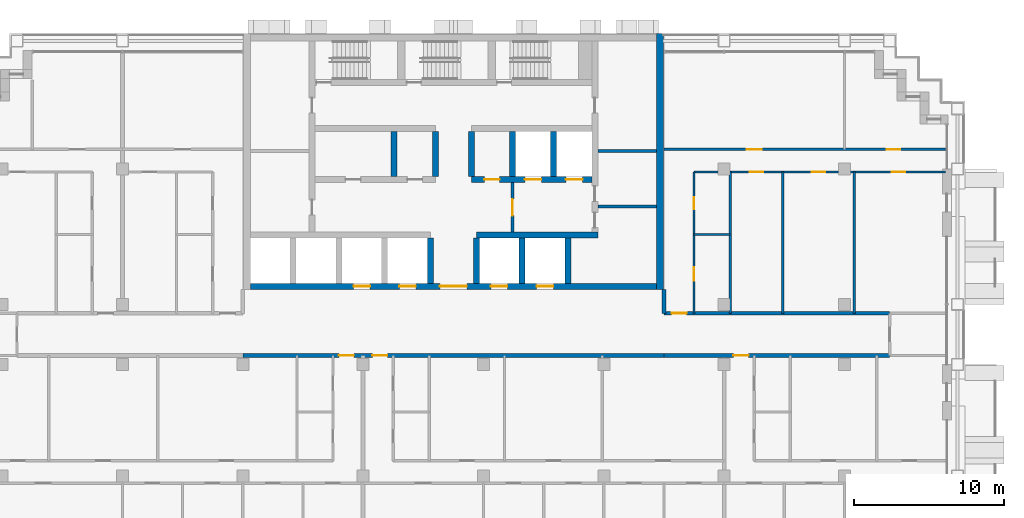
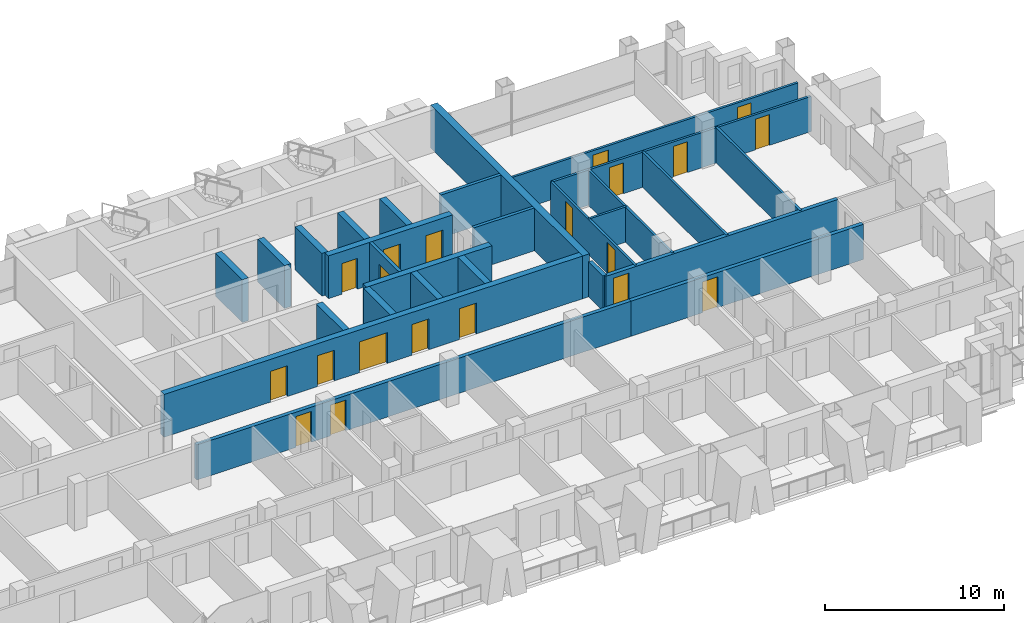
# One storey, part 10 of 16: 27 walls, 20 doors, 20 openings.
"""IFC4 building model written with IfcOpenShell, lengths in metres."""

from ifc_helpers import new_model, si_unit, direction, frame, frame_2d, origin, place, context, subcontext, project, spatial, rectangle, extrude, material, layer, layer_set, type_object, element, fill, save


model = new_model("IFC4")

# Units and contexts
model_context = context("Model", 3, precision=1e-05, world=origin(), true_north=direction((0.0, 1.0)))
body_context = subcontext(model_context, "Body", "Model", "MODEL_VIEW")
ifc_project = project(units=[si_unit("LENGTHUNIT", "METRE"), si_unit("AREAUNIT", "SQUARE_METRE"), si_unit("VOLUMEUNIT", "CUBIC_METRE"), si_unit("PLANEANGLEUNIT", "RADIAN"), si_unit("MASSUNIT", "GRAM", prefix="KILO")], contexts=[model_context])

# Site, building, storey
site_placement = place(None, origin())
site = spatial("IfcSite", under=ifc_project, at=site_placement, CompositionType="ELEMENT")
building_placement = place(site_placement, origin())
building = spatial("IfcBuilding", under=site, at=building_placement, Name="Vidyagriha Tower", CompositionType="ELEMENT")
storey_placement = place(building_placement, frame((0.0, 0.0, 145.39990234375)))
storey = spatial("IfcBuildingStorey", under=building, at=storey_placement, Name="L38", CompositionType="ELEMENT", Elevation=145.39990234375)

# Wall, openings, doors
ifc_material_1 = material(Name="Concrete C60/75", Category="concrete")
ifc_layer_1 = layer(ifc_material_1, 0.39990234375)
ifc_layer_set_1 = layer_set([ifc_layer_1], Name="Concrete C60/75")
wall_type_1 = type_object("IfcWallType", Name="Core shear wall 400 mm", PredefinedType="SHEAR", material=ifc_layer_set_1)
wall_1_placement = place(storey_placement, frame((-13.5, 3.199951171875, 0.0)))
wall_1 = element("IfcWall", 1, at=wall_1_placement, inside=storey, type_object=wall_type_1, Name="Core front wall", PredefinedType="SHEAR", context=body_context, shape_type="SweptSolid", body=[
    extrude(rectangle(XDim=27.0, YDim=0.39990234375, at=frame_2d((13.5, 0.0))), origin(), (0.0, 0.0, 1.0), 2.920166015625),
])
opening_1_placement = place(wall_1_placement, frame((6.861083984375, 0.0, 0.0)))
opening_1 = element("IfcOpeningElement", 2, at=opening_1_placement, cuts=wall_1, Name="Opening LD38-01", PredefinedType="OPENING", context=body_context, shape_type="SweptSolid", body=[
    extrude(rectangle(XDim=1.10009765625, YDim=2.10009765625, at=frame_2d((0.550048828125, 1.050048828125))), frame((0.0, 0.2099609375, 0.0), z_axis=(0.0, -1.0, 0.0), x_axis=(1.0, 0.0, 0.0)), (0.0, 0.0, 1.0), 0.419921875),
])
opening_2_placement = place(wall_1_placement, frame((9.905517578125, 0.0, 0.0)))
opening_2 = element("IfcOpeningElement", 3, at=opening_2_placement, cuts=wall_1, Name="Opening LD38-02", PredefinedType="OPENING", context=body_context, shape_type="SweptSolid", body=[
    extrude(rectangle(XDim=1.10009765625, YDim=2.10009765625, at=frame_2d((0.550048828125, 1.050048828125))), frame((0.0, 0.2099609375, 0.0), z_axis=(0.0, -1.0, 0.0), x_axis=(1.0, 0.0, 0.0)), (0.0, 0.0, 1.0), 0.419921875),
])
opening_3_placement = place(wall_1_placement, frame((15.994384765625, 0.0, 0.0)))
opening_3 = element("IfcOpeningElement", 4, at=opening_3_placement, cuts=wall_1, Name="Opening LD38-03", PredefinedType="OPENING", context=body_context, shape_type="SweptSolid", body=[
    extrude(rectangle(XDim=1.10009765625, YDim=2.10009765625, at=frame_2d((0.550048828125, 1.050048828125))), frame((0.0, 0.2099609375, 0.0), z_axis=(0.0, -1.0, 0.0), x_axis=(1.0, 0.0, 0.0)), (0.0, 0.0, 1.0), 0.419921875),
])
opening_4_placement = place(wall_1_placement, frame((19.038818359375, 0.0, 0.0)))
opening_4 = element("IfcOpeningElement", 5, at=opening_4_placement, cuts=wall_1, Name="Opening LD38-04", PredefinedType="OPENING", context=body_context, shape_type="SweptSolid", body=[
    extrude(rectangle(XDim=1.10009765625, YDim=2.10009765625, at=frame_2d((0.550048828125, 1.050048828125))), frame((0.0, 0.2099609375, 0.0), z_axis=(0.0, -1.0, 0.0), x_axis=(1.0, 0.0, 0.0)), (0.0, 0.0, 1.0), 0.419921875),
])
opening_5_placement = place(wall_1_placement, frame((12.60009765625, 0.0, 0.0)))
opening_5 = element("IfcOpeningElement", 6, at=opening_5_placement, cuts=wall_1, Name="Opening D38-01", PredefinedType="OPENING", context=body_context, shape_type="SweptSolid", body=[
    extrude(rectangle(XDim=1.800048828125, YDim=2.10009765625, at=frame_2d((0.89990234375, 1.050048828125))), frame((0.0, 0.2099609375, 0.0), z_axis=(0.0, -1.0, 0.0), x_axis=(1.0, 0.0, 0.0)), (0.0, 0.0, 1.0), 0.419921875),
])
ifc_material_2 = material(Name="Hollow metal door leaf")
door_type_1 = type_object("IfcDoorType", Name="Core lobby double door 1800 x 2100 mm EI 60", OperationType="NOTDEFINED", PredefinedType="DOOR", material=ifc_material_2)
door_1_placement = place(opening_5_placement, frame((1.800048828125, 0.0, 0.0), z_axis=(0.0, 0.0, 1.0), x_axis=(-1.0, 0.0, 0.0)))
door_1 = element("IfcDoor", 7, at=door_1_placement, inside=storey, type_object=door_type_1, Name="Core entrance door L38", OperationType="DOUBLE_DOOR_SINGLE_SWING", OverallHeight=2.10009765625, OverallWidth=1.800048828125, PredefinedType="DOOR", context=body_context, shape_type="SweptSolid", body=[
    extrude(rectangle(XDim=1.800048828125, YDim=2.10009765625, at=frame_2d((0.89990234375, 1.050048828125))), frame((0.0, 0.02490234375, 0.0), z_axis=(0.0, -1.0, 0.0), x_axis=(1.0, 0.0, 0.0)), (0.0, 0.0, 1.0), 0.050048828125),
])
fill(opening_5, door_1)
ifc_material_3 = material(Name="Stainless steel sliding door panel", Category="steel")
door_type_2 = type_object("IfcDoorType", Name="Lift landing door 1100 x 2100 mm EI 90", OperationType="NOTDEFINED", PredefinedType="DOOR", material=ifc_material_3)
door_2_placement = place(opening_1_placement, origin())
door_2 = element("IfcDoor", 8, at=door_2_placement, inside=storey, type_object=door_type_2, Name="Landing door LR1 L38", OperationType="SLIDING_TO_LEFT", OverallHeight=2.10009765625, OverallWidth=1.10009765625, PredefinedType="DOOR", context=body_context, shape_type="SweptSolid", body=[
    extrude(rectangle(XDim=1.10009765625, YDim=2.10009765625, at=frame_2d((0.550048828125, 1.050048828125))), frame((0.0, 0.02490234375, 0.0), z_axis=(0.0, -1.0, 0.0), x_axis=(1.0, 0.0, 0.0)), (0.0, 0.0, 1.0), 0.050048828125),
])
fill(opening_1, door_2)
door_3_placement = place(opening_2_placement, origin())
door_3 = element("IfcDoor", 9, at=door_3_placement, inside=storey, type_object=door_type_2, Name="Landing door LR2 L38", OperationType="SLIDING_TO_LEFT", OverallHeight=2.10009765625, OverallWidth=1.10009765625, PredefinedType="DOOR", context=body_context, shape_type="SweptSolid", body=[
    extrude(rectangle(XDim=1.10009765625, YDim=2.10009765625, at=frame_2d((0.550048828125, 1.050048828125))), frame((0.0, 0.02490234375, 0.0), z_axis=(0.0, -1.0, 0.0), x_axis=(1.0, 0.0, 0.0)), (0.0, 0.0, 1.0), 0.050048828125),
])
fill(opening_2, door_3)
door_4_placement = place(opening_3_placement, origin())
door_4 = element("IfcDoor", 10, at=door_4_placement, inside=storey, type_object=door_type_2, Name="Landing door LR3 L38", OperationType="SLIDING_TO_LEFT", OverallHeight=2.10009765625, OverallWidth=1.10009765625, PredefinedType="DOOR", context=body_context, shape_type="SweptSolid", body=[
    extrude(rectangle(XDim=1.10009765625, YDim=2.10009765625, at=frame_2d((0.550048828125, 1.050048828125))), frame((0.0, 0.02490234375, 0.0), z_axis=(0.0, -1.0, 0.0), x_axis=(1.0, 0.0, 0.0)), (0.0, 0.0, 1.0), 0.050048828125),
])
fill(opening_3, door_4)
door_5_placement = place(opening_4_placement, origin())
door_5 = element("IfcDoor", 11, at=door_5_placement, inside=storey, type_object=door_type_2, Name="Landing door LR4 L38", OperationType="SLIDING_TO_LEFT", OverallHeight=2.10009765625, OverallWidth=1.10009765625, PredefinedType="DOOR", context=body_context, shape_type="SweptSolid", body=[
    extrude(rectangle(XDim=1.10009765625, YDim=2.10009765625, at=frame_2d((0.550048828125, 1.050048828125))), frame((0.0, 0.02490234375, 0.0), z_axis=(0.0, -1.0, 0.0), x_axis=(1.0, 0.0, 0.0)), (0.0, 0.0, 1.0), 0.050048828125),
])
fill(opening_4, door_5)

# Walls
wall_2_placement = place(storey_placement, frame((1.522216796875, 6.60009765625, 0.0)))
element("IfcWall", 12, at=wall_2_placement, inside=storey, type_object=wall_type_1, Name="Core lobby south wall east", PredefinedType="SHEAR", context=body_context, shape_type="SweptSolid", body=[
    extrude(rectangle(XDim=8.077880859375, YDim=0.39990234375, at=frame_2d((4.0390625, 0.0))), origin(), (0.0, 0.0, 1.0), 2.920166015625),
])
for number, where, z_axis, x_axis, name in (
    (13, (-1.522216796875, 3.39990234375, 0.0), (0.0, 0.0, 1.0), (0.0, 1.0, 0.0), "Core bay wall S4"),
    (14, (1.522216796875, 3.39990234375, 0.0), (0.0, 0.0, 1.0), (0.0, 1.0, 0.0), "Core bay wall S5"),
    (15, (4.566650390625, 3.39990234375, 0.0), (0.0, 0.0, 1.0), (0.0, 1.0, 0.0), "Core bay wall S6"),
    (16, (7.611083984375, 3.39990234375, 0.0), (0.0, 0.0, 1.0), (0.0, 1.0, 0.0), "Core bay wall S7"),
):
    element("IfcWall", number, at=place(storey_placement, frame(where, z_axis=z_axis, x_axis=x_axis)), inside=storey, type_object=wall_type_1, Name=name, PredefinedType="SHEAR", context=body_context, shape_type="SweptSolid", body=[
        extrude(rectangle(XDim=3.0, YDim=0.39990234375, at=frame_2d((1.5, 0.0))), origin(), (0.0, 0.0, 1.0), 2.920166015625),
    ])

# Wall, openings, doors
wall_3_placement = place(storey_placement, frame((1.199951171875, 10.300048828125, 0.0)))
wall_3 = element("IfcWall", 17, at=wall_3_placement, inside=storey, type_object=wall_type_1, Name="Core row N front wall", PredefinedType="SHEAR", context=body_context, shape_type="SweptSolid", body=[
    extrude(rectangle(XDim=8.0, YDim=0.39990234375, at=frame_2d((4.0, 0.0))), origin(), (0.0, 0.0, 1.0), 2.920166015625),
])
opening_6_placement = place(wall_3_placement, frame((3.550048828125, 0.0, 0.0)))
opening_6 = element("IfcOpeningElement", 18, at=opening_6_placement, cuts=wall_3, Name="Opening LD38-05", PredefinedType="OPENING", context=body_context, shape_type="SweptSolid", body=[
    extrude(rectangle(XDim=1.10009765625, YDim=2.10009765625, at=frame_2d((0.550048828125, 1.050048828125))), frame((0.0, 0.2099609375, 0.0), z_axis=(0.0, -1.0, 0.0), x_axis=(1.0, 0.0, 0.0)), (0.0, 0.0, 1.0), 0.419921875),
])
opening_7_placement = place(wall_3_placement, frame((6.283203125, 0.0, 0.0)))
opening_7 = element("IfcOpeningElement", 19, at=opening_7_placement, cuts=wall_3, Name="Opening LD38-06", PredefinedType="OPENING", context=body_context, shape_type="SweptSolid", body=[
    extrude(rectangle(XDim=1.10009765625, YDim=2.10009765625, at=frame_2d((0.550048828125, 1.050048828125))), frame((0.0, 0.2099609375, 0.0), z_axis=(0.0, -1.0, 0.0), x_axis=(1.0, 0.0, 0.0)), (0.0, 0.0, 1.0), 0.419921875),
])
opening_8_placement = place(wall_3_placement, frame((0.86669921875, 0.0, 0.0)))
opening_8 = element("IfcOpeningElement", 20, at=opening_8_placement, cuts=wall_3, Name="Opening D38-04", PredefinedType="OPENING", context=body_context, shape_type="SweptSolid", body=[
    extrude(rectangle(XDim=1.0, YDim=2.10009765625, at=frame_2d((0.5, 1.050048828125))), frame((0.0, 0.2099609375, 0.0), z_axis=(0.0, -1.0, 0.0), x_axis=(1.0, 0.0, 0.0)), (0.0, 0.0, 1.0), 0.419921875),
])
ifc_material_4 = material(Name="Hollow metal door leaf")
door_type_3 = type_object("IfcDoorType", Name="Core room door 1000 x 2100 mm EI 60", OperationType="NOTDEFINED", PredefinedType="DOOR", material=ifc_material_4)
door_6_placement = place(opening_8_placement, frame((1.0, 0.0, 0.0), z_axis=(0.0, 0.0, 1.0), x_axis=(-1.0, 0.0, 0.0)))
door_6 = element("IfcDoor", 21, at=door_6_placement, inside=storey, type_object=door_type_3, Name="Door Pressurisation Plant Room 38.16", OperationType="SINGLE_SWING_LEFT", OverallHeight=2.10009765625, OverallWidth=1.0, PredefinedType="DOOR", context=body_context, shape_type="SweptSolid", body=[
    extrude(rectangle(XDim=1.0, YDim=2.10009765625, at=frame_2d((0.5, 1.050048828125))), frame((0.0, 0.02490234375, 0.0), z_axis=(0.0, -1.0, 0.0), x_axis=(1.0, 0.0, 0.0)), (0.0, 0.0, 1.0), 0.050048828125),
])
fill(opening_8, door_6)
door_7_placement = place(opening_6_placement, origin())
door_7 = element("IfcDoor", 22, at=door_7_placement, inside=storey, type_object=door_type_2, Name="Landing door FF1 L38", OperationType="SLIDING_TO_LEFT", OverallHeight=2.10009765625, OverallWidth=1.10009765625, PredefinedType="DOOR", context=body_context, shape_type="SweptSolid", body=[
    extrude(rectangle(XDim=1.10009765625, YDim=2.10009765625, at=frame_2d((0.550048828125, 1.050048828125))), frame((0.0, 0.02490234375, 0.0), z_axis=(0.0, -1.0, 0.0), x_axis=(1.0, 0.0, 0.0)), (0.0, 0.0, 1.0), 0.050048828125),
])
fill(opening_6, door_7)
door_8_placement = place(opening_7_placement, origin())
door_8 = element("IfcDoor", 23, at=door_8_placement, inside=storey, type_object=door_type_2, Name="Landing door FF2 L38", OperationType="SLIDING_TO_LEFT", OverallHeight=2.10009765625, OverallWidth=1.10009765625, PredefinedType="DOOR", context=body_context, shape_type="SweptSolid", body=[
    extrude(rectangle(XDim=1.10009765625, YDim=2.10009765625, at=frame_2d((0.550048828125, 1.050048828125))), frame((0.0, 0.02490234375, 0.0), z_axis=(0.0, -1.0, 0.0), x_axis=(1.0, 0.0, 0.0)), (0.0, 0.0, 1.0), 0.050048828125),
])
fill(opening_7, door_8)

# Walls
for number, where, z_axis, x_axis, name in (
    (24, (-3.933349609375, 10.5, 0.0), (0.0, 0.0, 1.0), (0.0, 1.0, 0.0), "Core bay wall N2"),
    (25, (-1.199951171875, 10.5, 0.0), (0.0, 0.0, 1.0), (0.0, 1.0, 0.0), "Core bay wall N3"),
    (26, (1.199951171875, 10.5, 0.0), (0.0, 0.0, 1.0), (0.0, 1.0, 0.0), "Core bay wall N4"),
    (27, (3.933349609375, 10.5, 0.0), (0.0, 0.0, 1.0), (0.0, 1.0, 0.0), "Core bay wall N5"),
    (28, (6.666748046875, 10.5, 0.0), (0.0, 0.0, 1.0), (0.0, 1.0, 0.0), "Core bay wall N6"),
):
    element("IfcWall", number, at=place(storey_placement, frame(where, z_axis=z_axis, x_axis=x_axis)), inside=storey, type_object=wall_type_1, Name=name, PredefinedType="SHEAR", context=body_context, shape_type="SweptSolid", body=[
        extrude(rectangle(XDim=3.0, YDim=0.39990234375, at=frame_2d((1.5, 0.0))), origin(), (0.0, 0.0, 1.0), 2.920166015625),
    ])
ifc_material_5 = material(Name="Concrete C60/75", Category="concrete")
ifc_layer_2 = layer(ifc_material_5, 0.449951171875)
ifc_layer_set_2 = layer_set([ifc_layer_2], Name="Concrete C60/75")
wall_type_2 = type_object("IfcWallType", Name="Core shear wall 450 mm", PredefinedType="SHEAR", material=ifc_layer_set_2)
wall_4_placement = place(storey_placement, frame((13.72509765625, 3.0, 0.0), z_axis=(0.0, 0.0, 1.0), x_axis=(0.0, 1.0, 0.0)))
element("IfcWall", 29, at=wall_4_placement, inside=storey, type_object=wall_type_2, Name="Core east wall", PredefinedType="SHEAR", context=body_context, shape_type="SweptSolid", body=[
    extrude(rectangle(XDim=17.0, YDim=0.449951171875, at=frame_2d((8.5, 0.0))), origin(), (0.0, 0.0, 1.0), 2.920166015625),
])

# Wall, opening, door
ifc_material_6 = material(Name="Fired clay brick masonry", Category="masonry")
ifc_layer_3 = layer(ifc_material_6, 0.25)
ifc_layer_set_3 = layer_set([ifc_layer_3], Name="Fired clay brick masonry")
wall_type_3 = type_object("IfcWallType", Name="Fired clay brick corridor wall 250", PredefinedType="PARTITIONING", material=ifc_layer_set_3)
wall_5_placement = place(storey_placement, frame((29.0, -1.39990234375, 0.0), z_axis=(0.0, 0.0, 1.0), x_axis=(-1.0, 0.0, 0.0)))
wall_5 = element("IfcWall", 30, at=wall_5_placement, inside=storey, type_object=wall_type_3, Name="Wall all-L38-w065", PredefinedType="PARTITIONING", context=body_context, shape_type="SweptSolid", body=[
    extrude(rectangle(XDim=15.0, YDim=0.25, at=frame_2d((7.5, 0.0))), origin(), (0.0, 0.0, 1.0), 2.400146484375),
])
opening_9_placement = place(wall_5_placement, frame((9.382080078125, 0.0, 0.0)))
opening_9 = element("IfcOpeningElement", 31, at=opening_9_placement, cuts=wall_5, Name="Opening D38-43", PredefinedType="OPENING", context=body_context, shape_type="SweptSolid", body=[
    extrude(rectangle(XDim=1.0, YDim=2.10009765625, at=frame_2d((0.5, 1.050048828125))), frame((0.0, 0.135009765625, 0.0), z_axis=(0.0, -1.0, 0.0), x_axis=(1.0, 0.0, 0.0)), (0.0, 0.0, 1.0), 0.27001953125),
])
ifc_material_7 = material(Name="Fire-rated timber door leaf EI 60", Category="wood")
door_type_4 = type_object("IfcDoorType", Name="Flat entrance fire door 1000x2100", OperationType="NOTDEFINED", PredefinedType="DOOR", material=ifc_material_7)
door_9_placement = place(opening_9_placement, origin())
door_9 = element("IfcDoor", 32, at=door_9_placement, inside=storey, type_object=door_type_4, Name="Door D38-43", OperationType="SINGLE_SWING_RIGHT", OverallHeight=2.10009765625, OverallWidth=1.0, PredefinedType="DOOR", context=body_context, shape_type="SweptSolid", body=[
    extrude(rectangle(XDim=1.0, YDim=2.10009765625, at=frame_2d((0.5, 1.050048828125))), frame((0.0, 0.02490234375, 0.0), z_axis=(0.0, -1.0, 0.0), x_axis=(1.0, 0.0, 0.0)), (0.0, 0.0, 1.0), 0.050048828125),
])
fill(opening_9, door_9)

wall_6_placement = place(storey_placement, frame((14.0, 1.39990234375, 0.0)))
wall_6 = element("IfcWall", 33, at=wall_6_placement, inside=storey, type_object=wall_type_3, Name="Wall all-L38-w108", PredefinedType="PARTITIONING", context=body_context, shape_type="SweptSolid", body=[
    extrude(rectangle(XDim=15.0, YDim=0.25, at=frame_2d((7.5, 0.0))), origin(), (0.0, 0.0, 1.0), 2.400146484375),
])
opening_10_placement = place(wall_6_placement, frame((0.5, 0.0, 0.0)))
opening_10 = element("IfcOpeningElement", 34, at=opening_10_placement, cuts=wall_6, Name="Opening D38-62", PredefinedType="OPENING", context=body_context, shape_type="SweptSolid", body=[
    extrude(rectangle(XDim=1.0, YDim=2.10009765625, at=frame_2d((0.5, 1.050048828125))), frame((0.0, 0.135009765625, 0.0), z_axis=(0.0, -1.0, 0.0), x_axis=(1.0, 0.0, 0.0)), (0.0, 0.0, 1.0), 0.27001953125),
])
door_10_placement = place(opening_10_placement, origin())
door_10 = element("IfcDoor", 35, at=door_10_placement, inside=storey, type_object=door_type_4, Name="Door D38-62", OperationType="SINGLE_SWING_LEFT", OverallHeight=2.10009765625, OverallWidth=1.0, PredefinedType="DOOR", context=body_context, shape_type="SweptSolid", body=[
    extrude(rectangle(XDim=1.0, YDim=2.10009765625, at=frame_2d((0.5, 1.050048828125))), frame((0.0, 0.02490234375, 0.0), z_axis=(0.0, -1.0, 0.0), x_axis=(1.0, 0.0, 0.0)), (0.0, 0.0, 1.0), 0.050048828125),
])
fill(opening_10, door_10)

# Wall, openings, doors
wall_7_placement = place(storey_placement, frame((14.0, -1.39990234375, 0.0), z_axis=(0.0, 0.0, 1.0), x_axis=(-1.0, 0.0, 0.0)))
wall_7 = element("IfcWall", 36, at=wall_7_placement, inside=storey, type_object=wall_type_3, Name="Wall all-L38-w114", PredefinedType="PARTITIONING", context=body_context, shape_type="SweptSolid", body=[
    extrude(rectangle(XDim=28.0, YDim=0.25, at=frame_2d((14.0, 0.0))), origin(), (0.0, 0.0, 1.0), 2.400146484375),
])
opening_11_placement = place(wall_7_placement, frame((20.617919921875, 0.0, 0.0)))
opening_11 = element("IfcOpeningElement", 37, at=opening_11_placement, cuts=wall_7, Name="Opening D38-24", PredefinedType="OPENING", context=body_context, shape_type="SweptSolid", body=[
    extrude(rectangle(XDim=1.0, YDim=2.10009765625, at=frame_2d((0.5, 1.050048828125))), frame((0.0, 0.135009765625, 0.0), z_axis=(0.0, -1.0, 0.0), x_axis=(1.0, 0.0, 0.0)), (0.0, 0.0, 1.0), 0.27001953125),
])
opening_12_placement = place(wall_7_placement, frame((18.382080078125, 0.0, 0.0)))
opening_12 = element("IfcOpeningElement", 38, at=opening_12_placement, cuts=wall_7, Name="Opening D38-35", PredefinedType="OPENING", context=body_context, shape_type="SweptSolid", body=[
    extrude(rectangle(XDim=1.0, YDim=2.10009765625, at=frame_2d((0.5, 1.050048828125))), frame((0.0, 0.135009765625, 0.0), z_axis=(0.0, -1.0, 0.0), x_axis=(1.0, 0.0, 0.0)), (0.0, 0.0, 1.0), 0.27001953125),
])
door_11_placement = place(opening_11_placement, origin())
door_11 = element("IfcDoor", 39, at=door_11_placement, inside=storey, type_object=door_type_4, Name="Door D38-24", OperationType="SINGLE_SWING_LEFT", OverallHeight=2.10009765625, OverallWidth=1.0, PredefinedType="DOOR", context=body_context, shape_type="SweptSolid", body=[
    extrude(rectangle(XDim=1.0, YDim=2.10009765625, at=frame_2d((0.5, 1.050048828125))), frame((0.0, 0.02490234375, 0.0), z_axis=(0.0, -1.0, 0.0), x_axis=(1.0, 0.0, 0.0)), (0.0, 0.0, 1.0), 0.050048828125),
])
fill(opening_11, door_11)
door_12_placement = place(opening_12_placement, origin())
door_12 = element("IfcDoor", 40, at=door_12_placement, inside=storey, type_object=door_type_4, Name="Door D38-35", OperationType="SINGLE_SWING_RIGHT", OverallHeight=2.10009765625, OverallWidth=1.0, PredefinedType="DOOR", context=body_context, shape_type="SweptSolid", body=[
    extrude(rectangle(XDim=1.0, YDim=2.10009765625, at=frame_2d((0.5, 1.050048828125))), frame((0.0, 0.02490234375, 0.0), z_axis=(0.0, -1.0, 0.0), x_axis=(1.0, 0.0, 0.0)), (0.0, 0.0, 1.0), 0.050048828125),
])
fill(opening_12, door_12)

# Walls
wall_8_placement = place(storey_placement, frame((14.0, 1.39990234375, 0.0), z_axis=(0.0, 0.0, 1.0), x_axis=(0.0, 1.0, 0.0)))
element("IfcWall", 41, at=wall_8_placement, inside=storey, type_object=wall_type_3, Name="Wall all-L38-w116", PredefinedType="PARTITIONING", context=body_context, shape_type="SweptSolid", body=[
    extrude(rectangle(XDim=1.60009765625, YDim=0.25, at=frame_2d((0.800048828125, 0.0))), origin(), (0.0, 0.0, 1.0), 2.400146484375),
])
ifc_material_8 = material(Name="Gypsum board partition")
ifc_layer_4 = layer(ifc_material_8, 0.14990234375)
ifc_layer_set_4 = layer_set([ifc_layer_4], Name="Gypsum board partition")
wall_type_4 = type_object("IfcWallType", Name="Gypsum board partition 150", PredefinedType="PARTITIONING", material=ifc_layer_set_4)
wall_9_placement = place(storey_placement, frame((16.0, 6.64990234375, 0.0)))
element("IfcWall", 42, at=wall_9_placement, inside=storey, type_object=wall_type_4, Name="Wall all-L38-w095", PredefinedType="PARTITIONING", context=body_context, shape_type="SweptSolid", body=[
    extrude(rectangle(XDim=2.39990234375, YDim=0.14990234375, at=frame_2d((1.199951171875, 0.0))), origin(), (0.0, 0.0, 1.0), 2.400146484375),
])
for number, where, z_axis, x_axis, name in (
    (43, (18.39990234375, 10.800048828125, 0.0), (0.0, 0.0, 1.0), (0.0, -1.0, 0.0), "Wall all-L38-w096"),
    (44, (21.89990234375, 10.800048828125, 0.0), (0.0, 0.0, 1.0), (0.0, -1.0, 0.0), "Wall all-L38-w097"),
    (45, (26.64990234375, 10.800048828125, 0.0), (0.0, 0.0, 1.0), (0.0, -1.0, 0.0), "Wall all-L38-w098"),
):
    element("IfcWall", number, at=place(storey_placement, frame(where, z_axis=z_axis, x_axis=x_axis)), inside=storey, type_object=wall_type_4, Name=name, PredefinedType="PARTITIONING", context=body_context, shape_type="SweptSolid", body=[
        extrude(rectangle(XDim=9.400146484375, YDim=0.14990234375, at=frame_2d((4.7001953125, 0.0))), origin(), (0.0, 0.0, 1.0), 2.400146484375),
    ])

# Wall, openings, doors
wall_10_placement = place(storey_placement, frame((32.7099609375, 10.800048828125, 0.0), z_axis=(0.0, 0.0, 1.0), x_axis=(-1.0, 0.0, 0.0)))
wall_10 = element("IfcWall", 46, at=wall_10_placement, inside=storey, type_object=wall_type_4, Name="Wall all-L38-w099", PredefinedType="PARTITIONING", context=body_context, shape_type="SweptSolid", body=[
    extrude(rectangle(XDim=16.7099609375, YDim=0.14990234375, at=frame_2d((8.35498046875, 0.0))), origin(), (0.0, 0.0, 1.0), 2.400146484375),
])
opening_13_placement = place(wall_10_placement, frame((12.110107421875, 0.0, 0.0)))
opening_13 = element("IfcOpeningElement", 47, at=opening_13_placement, cuts=wall_10, Name="Opening D38-57", PredefinedType="OPENING", context=body_context, shape_type="SweptSolid", body=[
    extrude(rectangle(XDim=0.89990234375, YDim=2.10009765625, at=frame_2d((0.449951171875, 1.050048828125))), frame((0.0, 0.0849609375, 0.0), z_axis=(0.0, -1.0, 0.0), x_axis=(1.0, 0.0, 0.0)), (0.0, 0.0, 1.0), 0.169921875),
])
opening_14_placement = place(wall_10_placement, frame((7.985107421875, 0.0, 0.0)))
opening_14 = element("IfcOpeningElement", 48, at=opening_14_placement, cuts=wall_10, Name="Opening D38-58", PredefinedType="OPENING", context=body_context, shape_type="SweptSolid", body=[
    extrude(rectangle(XDim=0.89990234375, YDim=2.10009765625, at=frame_2d((0.449951171875, 1.050048828125))), frame((0.0, 0.0849609375, 0.0), z_axis=(0.0, -1.0, 0.0), x_axis=(1.0, 0.0, 0.0)), (0.0, 0.0, 1.0), 0.169921875),
])
opening_15_placement = place(wall_10_placement, frame((2.68505859375, 0.0, 0.0)))
opening_15 = element("IfcOpeningElement", 49, at=opening_15_placement, cuts=wall_10, Name="Opening D38-59", PredefinedType="OPENING", context=body_context, shape_type="SweptSolid", body=[
    extrude(rectangle(XDim=0.89990234375, YDim=2.10009765625, at=frame_2d((0.449951171875, 1.050048828125))), frame((0.0, 0.0849609375, 0.0), z_axis=(0.0, -1.0, 0.0), x_axis=(1.0, 0.0, 0.0)), (0.0, 0.0, 1.0), 0.169921875),
])
ifc_material_9 = material(Name="Timber door leaf", Category="wood")
door_type_5 = type_object("IfcDoorType", Name="Room door 900x2100", OperationType="NOTDEFINED", PredefinedType="DOOR", material=ifc_material_9)
door_13_placement = place(opening_13_placement, origin())
door_13 = element("IfcDoor", 50, at=door_13_placement, inside=storey, type_object=door_type_5, Name="Door D38-57", OperationType="SINGLE_SWING_RIGHT", OverallHeight=2.10009765625, OverallWidth=0.89990234375, PredefinedType="DOOR", context=body_context, shape_type="SweptSolid", body=[
    extrude(rectangle(XDim=0.89990234375, YDim=2.10009765625, at=frame_2d((0.449951171875, 1.050048828125))), frame((0.0, 0.02490234375, 0.0), z_axis=(0.0, -1.0, 0.0), x_axis=(1.0, 0.0, 0.0)), (0.0, 0.0, 1.0), 0.050048828125),
])
fill(opening_13, door_13)
door_14_placement = place(opening_14_placement, origin())
door_14 = element("IfcDoor", 51, at=door_14_placement, inside=storey, type_object=door_type_5, Name="Door D38-58", OperationType="SINGLE_SWING_RIGHT", OverallHeight=2.10009765625, OverallWidth=0.89990234375, PredefinedType="DOOR", context=body_context, shape_type="SweptSolid", body=[
    extrude(rectangle(XDim=0.89990234375, YDim=2.10009765625, at=frame_2d((0.449951171875, 1.050048828125))), frame((0.0, 0.02490234375, 0.0), z_axis=(0.0, -1.0, 0.0), x_axis=(1.0, 0.0, 0.0)), (0.0, 0.0, 1.0), 0.050048828125),
])
fill(opening_14, door_14)
door_15_placement = place(opening_15_placement, origin())
door_15 = element("IfcDoor", 52, at=door_15_placement, inside=storey, type_object=door_type_5, Name="Door D38-59", OperationType="SINGLE_SWING_RIGHT", OverallHeight=2.10009765625, OverallWidth=0.89990234375, PredefinedType="DOOR", context=body_context, shape_type="SweptSolid", body=[
    extrude(rectangle(XDim=0.89990234375, YDim=2.10009765625, at=frame_2d((0.449951171875, 1.050048828125))), frame((0.0, 0.02490234375, 0.0), z_axis=(0.0, -1.0, 0.0), x_axis=(1.0, 0.0, 0.0)), (0.0, 0.0, 1.0), 0.050048828125),
])
fill(opening_15, door_15)

wall_11_placement = place(storey_placement, frame((14.0, 12.300048828125, 0.0)))
wall_11 = element("IfcWall", 53, at=wall_11_placement, inside=storey, type_object=wall_type_4, Name="Wall all-L38-w103", PredefinedType="PARTITIONING", context=body_context, shape_type="SweptSolid", body=[
    extrude(rectangle(XDim=18.719970703125, YDim=0.14990234375, at=frame_2d((9.35986328125, 0.0))), origin(), (0.0, 0.0, 1.0), 2.400146484375),
])
opening_16_placement = place(wall_11_placement, frame((5.5, 0.0, 0.0)))
opening_16 = element("IfcOpeningElement", 54, at=opening_16_placement, cuts=wall_11, Name="Opening D38-60", PredefinedType="OPENING", context=body_context, shape_type="SweptSolid", body=[
    extrude(rectangle(XDim=1.0, YDim=2.10009765625, at=frame_2d((0.5, 1.050048828125))), frame((0.0, 0.0849609375, 0.0), z_axis=(0.0, -1.0, 0.0), x_axis=(1.0, 0.0, 0.0)), (0.0, 0.0, 1.0), 0.169921875),
])
opening_17_placement = place(wall_11_placement, frame((14.800048828125, 0.0, 0.0)))
opening_17 = element("IfcOpeningElement", 55, at=opening_17_placement, cuts=wall_11, Name="Opening D38-61", PredefinedType="OPENING", context=body_context, shape_type="SweptSolid", body=[
    extrude(rectangle(XDim=0.89990234375, YDim=2.10009765625, at=frame_2d((0.449951171875, 1.050048828125))), frame((0.0, 0.0849609375, 0.0), z_axis=(0.0, -1.0, 0.0), x_axis=(1.0, 0.0, 0.0)), (0.0, 0.0, 1.0), 0.169921875),
])
ifc_material_10 = material(Name="Timber door leaf", Category="wood")
door_type_6 = type_object("IfcDoorType", Name="Room door 1000x2100", OperationType="NOTDEFINED", PredefinedType="DOOR", material=ifc_material_10)
door_16_placement = place(opening_16_placement, origin())
door_16 = element("IfcDoor", 56, at=door_16_placement, inside=storey, type_object=door_type_6, Name="Door D38-60", OperationType="SINGLE_SWING_RIGHT", OverallHeight=2.10009765625, OverallWidth=1.0, PredefinedType="DOOR", context=body_context, shape_type="SweptSolid", body=[
    extrude(rectangle(XDim=1.0, YDim=2.10009765625, at=frame_2d((0.5, 1.050048828125))), frame((0.0, 0.02490234375, 0.0), z_axis=(0.0, -1.0, 0.0), x_axis=(1.0, 0.0, 0.0)), (0.0, 0.0, 1.0), 0.050048828125),
])
fill(opening_16, door_16)
door_17_placement = place(opening_17_placement, origin())
door_17 = element("IfcDoor", 57, at=door_17_placement, inside=storey, type_object=door_type_5, Name="Door D38-61", OperationType="SINGLE_SWING_RIGHT", OverallHeight=2.10009765625, OverallWidth=0.89990234375, PredefinedType="DOOR", context=body_context, shape_type="SweptSolid", body=[
    extrude(rectangle(XDim=0.89990234375, YDim=2.10009765625, at=frame_2d((0.449951171875, 1.050048828125))), frame((0.0, 0.02490234375, 0.0), z_axis=(0.0, -1.0, 0.0), x_axis=(1.0, 0.0, 0.0)), (0.0, 0.0, 1.0), 0.050048828125),
])
fill(opening_17, door_17)

ifc_material_11 = material(Name="Moisture resistant gypsum board partition")
ifc_layer_5 = layer(ifc_material_11, 0.14990234375)
ifc_layer_set_5 = layer_set([ifc_layer_5], Name="Moisture resistant gypsum board partition")
wall_type_5 = type_object("IfcWallType", Name="Gypsum board wet-area partition 150", PredefinedType="PARTITIONING", material=ifc_layer_set_5)
wall_12_placement = place(storey_placement, frame((16.0, 10.800048828125, 0.0), z_axis=(0.0, 0.0, 1.0), x_axis=(0.0, -1.0, 0.0)))
wall_12 = element("IfcWall", 58, at=wall_12_placement, inside=storey, type_object=wall_type_5, Name="Wall all-L38-w092", PredefinedType="PARTITIONING", context=body_context, shape_type="SweptSolid", body=[
    extrude(rectangle(XDim=9.400146484375, YDim=0.14990234375, at=frame_2d((4.7001953125, 0.0))), origin(), (0.0, 0.0, 1.0), 2.400146484375),
])
opening_18_placement = place(wall_12_placement, frame((6.324951171875, 0.0, 0.0)))
opening_18 = element("IfcOpeningElement", 59, at=opening_18_placement, cuts=wall_12, Name="Opening D38-55", PredefinedType="OPENING", context=body_context, shape_type="SweptSolid", body=[
    extrude(rectangle(XDim=0.89990234375, YDim=2.10009765625, at=frame_2d((0.449951171875, 1.050048828125))), frame((0.0, 0.0849609375, 0.0), z_axis=(0.0, -1.0, 0.0), x_axis=(1.0, 0.0, 0.0)), (0.0, 0.0, 1.0), 0.169921875),
])
opening_19_placement = place(wall_12_placement, frame((1.675048828125, 0.0, 0.0)))
opening_19 = element("IfcOpeningElement", 60, at=opening_19_placement, cuts=wall_12, Name="Opening D38-56", PredefinedType="OPENING", context=body_context, shape_type="SweptSolid", body=[
    extrude(rectangle(XDim=0.800048828125, YDim=2.10009765625, at=frame_2d((0.39990234375, 1.050048828125))), frame((0.0, 0.0849609375, 0.0), z_axis=(0.0, -1.0, 0.0), x_axis=(1.0, 0.0, 0.0)), (0.0, 0.0, 1.0), 0.169921875),
])
ifc_material_12 = material(Name="Timber door leaf", Category="wood")
door_type_7 = type_object("IfcDoorType", Name="Bathroom door 800x2100", OperationType="NOTDEFINED", PredefinedType="DOOR", material=ifc_material_12)
door_18_placement = place(opening_19_placement, origin())
door_18 = element("IfcDoor", 61, at=door_18_placement, inside=storey, type_object=door_type_7, Name="Door D38-56", OperationType="SINGLE_SWING_RIGHT", OverallHeight=2.10009765625, OverallWidth=0.800048828125, PredefinedType="DOOR", context=body_context, shape_type="SweptSolid", body=[
    extrude(rectangle(XDim=0.800048828125, YDim=2.10009765625, at=frame_2d((0.39990234375, 1.050048828125))), frame((0.0, 0.02490234375, 0.0), z_axis=(0.0, -1.0, 0.0), x_axis=(1.0, 0.0, 0.0)), (0.0, 0.0, 1.0), 0.050048828125),
])
fill(opening_19, door_18)
ifc_material_13 = material(Name="Timber door leaf", Category="wood")
door_type_8 = type_object("IfcDoorType", Name="Kitchen door 900x2100", OperationType="NOTDEFINED", PredefinedType="DOOR", material=ifc_material_13)
door_19_placement = place(opening_18_placement, origin())
door_19 = element("IfcDoor", 62, at=door_19_placement, inside=storey, type_object=door_type_8, Name="Door D38-55", OperationType="SINGLE_SWING_LEFT", OverallHeight=2.10009765625, OverallWidth=0.89990234375, PredefinedType="DOOR", context=body_context, shape_type="SweptSolid", body=[
    extrude(rectangle(XDim=0.89990234375, YDim=2.10009765625, at=frame_2d((0.449951171875, 1.050048828125))), frame((0.0, 0.02490234375, 0.0), z_axis=(0.0, -1.0, 0.0), x_axis=(1.0, 0.0, 0.0)), (0.0, 0.0, 1.0), 0.050048828125),
])
fill(opening_18, door_19)

# Wall, opening, door
ifc_material_14 = material(Name="Blockwork 15 MPa", Category="masonry")
ifc_layer_6 = layer(ifc_material_14, 0.199951171875)
ifc_layer_set_6 = layer_set([ifc_layer_6], Name="Blockwork 15 MPa")
wall_type_6 = type_object("IfcWallType", Name="Service room partition 200 mm", PredefinedType="PARTITIONING", material=ifc_layer_set_6)
wall_13_placement = place(storey_placement, frame((3.933349609375, 6.800048828125, 0.0), z_axis=(0.0, 0.0, 1.0), x_axis=(0.0, 1.0, 0.0)))
wall_13 = element("IfcWall", 63, at=wall_13_placement, inside=storey, type_object=wall_type_6, Name="Fire-fighting lobby west wall", PredefinedType="PARTITIONING", context=body_context, shape_type="SweptSolid", body=[
    extrude(rectangle(XDim=3.300048828125, YDim=0.199951171875, at=frame_2d((1.64990234375, 0.0))), origin(), (0.0, 0.0, 1.0), 2.920166015625),
])
opening_20_placement = place(wall_13_placement, frame((1.10009765625, 0.0, 0.0)))
opening_20 = element("IfcOpeningElement", 64, at=opening_20_placement, cuts=wall_13, Name="Opening D38-05", PredefinedType="OPENING", context=body_context, shape_type="SweptSolid", body=[
    extrude(rectangle(XDim=1.10009765625, YDim=2.10009765625, at=frame_2d((0.550048828125, 1.050048828125))), frame((0.0, 0.10986328125, 0.0), z_axis=(0.0, -1.0, 0.0), x_axis=(1.0, 0.0, 0.0)), (0.0, 0.0, 1.0), 0.219970703125),
])
ifc_material_15 = material(Name="Hollow metal door leaf")
door_type_9 = type_object("IfcDoorType", Name="Fire-fighting lobby door 1100 x 2100 mm EI 90", OperationType="NOTDEFINED", PredefinedType="DOOR", material=ifc_material_15)
door_20_placement = place(opening_20_placement, origin())
door_20 = element("IfcDoor", 65, at=door_20_placement, inside=storey, type_object=door_type_9, Name="Fire-fighting lobby door L38", OperationType="SINGLE_SWING_RIGHT", OverallHeight=2.10009765625, OverallWidth=1.10009765625, PredefinedType="DOOR", context=body_context, shape_type="SweptSolid", body=[
    extrude(rectangle(XDim=1.10009765625, YDim=2.10009765625, at=frame_2d((0.550048828125, 1.050048828125))), frame((0.0, 0.02490234375, 0.0), z_axis=(0.0, -1.0, 0.0), x_axis=(1.0, 0.0, 0.0)), (0.0, 0.0, 1.0), 0.050048828125),
])
fill(opening_20, door_20)

# Walls
for number, where, name in (
    (66, (9.60009765625, 8.5, 0.0), "Core room partition E1"),
    (67, (9.60009765625, 12.199951171875, 0.0), "Core room partition E2"),
):
    element("IfcWall", number, at=place(storey_placement, frame(where)), inside=storey, type_object=wall_type_6, Name=name, PredefinedType="PARTITIONING", context=body_context, shape_type="SweptSolid", body=[
        extrude(rectangle(XDim=3.89990234375, YDim=0.199951171875, at=frame_2d((1.949951171875, 0.0))), origin(), (0.0, 0.0, 1.0), 2.920166015625),
    ])

save(model, "model.ifc")
